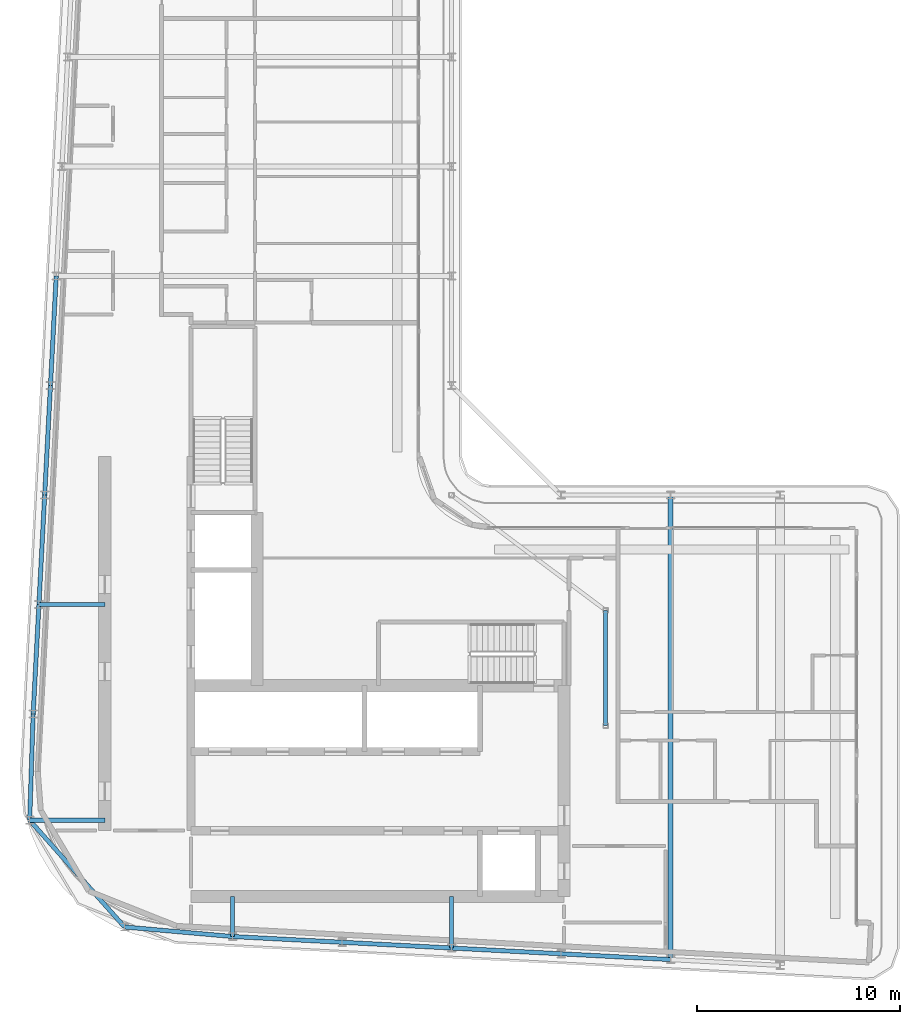
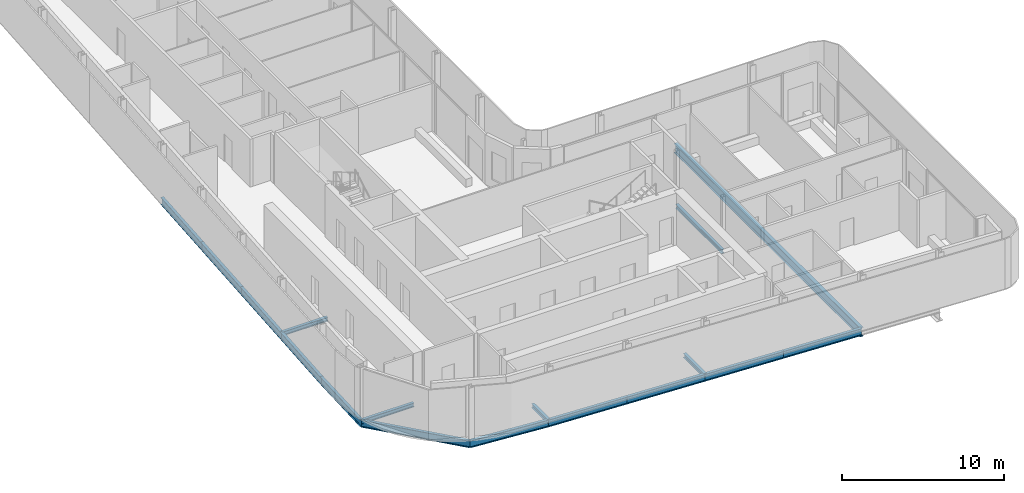
# One storey, part 5 of 21: 17 beams.
"""IFC4 building model written with IfcOpenShell, lengths in metres."""

from ifc_helpers import new_model, si_unit, direction, frame, origin, origin_2d, place, context, subcontext, project, spatial, i_section, extrude, material, material_profile, profile_set, type_object, element, save


model = new_model("IFC4")

# Units and contexts
model_context = context("Model", 3, precision=1e-05, world=origin(), true_north=direction((0.0, 1.0)))
body_context = subcontext(model_context, "Body", "Model", "MODEL_VIEW")
ifc_project = project(units=[si_unit("LENGTHUNIT", "METRE"), si_unit("AREAUNIT", "SQUARE_METRE"), si_unit("VOLUMEUNIT", "CUBIC_METRE"), si_unit("PLANEANGLEUNIT", "RADIAN"), si_unit("MASSUNIT", "GRAM", prefix="KILO")], contexts=[model_context])

# Site, building, storey
site_placement = place(None, origin())
site = spatial("IfcSite", under=ifc_project, at=site_placement, CompositionType="ELEMENT")
building_placement = place(site_placement, origin())
building = spatial("IfcBuilding", under=site, at=building_placement, Name="Kheshtan School and Residences Tower", CompositionType="ELEMENT")
storey_placement = place(building_placement, frame((0.0, 0.0, 309.800048828125)))
storey = spatial("IfcBuildingStorey", under=building, at=storey_placement, Name="L73", CompositionType="ELEMENT", Elevation=309.800048828125)

# Beams
ifc_material = material(Name="Steel ASTM A992 Grade 50", Category="steel")
ifc_material_profile_1 = material_profile(ifc_material, i_section(OverallWidth=0.202880859375, OverallDepth=0.302978515625, WebThickness=0.007568359375, FlangeThickness=0.01318359375, FilletRadius=0.009033203125, at=origin_2d()), Name="W310x60")
ifc_profile_set_1 = profile_set([ifc_material_profile_1], Name="Steel ASTM A992 Grade 50")
beam_type_1 = type_object("IfcBeamType", Name="Beam FB1 W310x60 ASTM A992 Grade 50", PredefinedType="BEAM", material=ifc_profile_set_1)
beam_1_placement = place(storey_placement, frame((47.60009765625, 23.263916015625, -0.301513671875), z_axis=(0.0, 1.0, 0.0), x_axis=(-1.0, 0.0, 0.0)))
element("IfcBeam", 1, at=beam_1_placement, inside=storey, type_object=beam_type_1, Name="Floor beam C020", PredefinedType="BEAM", context=body_context, shape_type="SweptSolid", body=[
    extrude(i_section(OverallWidth=0.202880859375, OverallDepth=0.302978515625, WebThickness=0.007568359375, FlangeThickness=0.01318359375, FilletRadius=0.009033203125, at=origin_2d()), origin(), (0.0, 0.0, 1.0), 2.5361328125),
])
beam_2_placement = place(storey_placement, frame((36.800048828125, 23.83203125, -0.301513671875), z_axis=(0.0, 1.0, 0.0), x_axis=(-1.0, 0.0, 0.0)))
element("IfcBeam", 2, at=beam_2_placement, inside=storey, type_object=beam_type_1, Name="Floor beam C022", PredefinedType="BEAM", context=body_context, shape_type="SweptSolid", body=[
    extrude(i_section(OverallWidth=0.202880859375, OverallDepth=0.302978515625, WebThickness=0.007568359375, FlangeThickness=0.01318359375, FilletRadius=0.009033203125, at=origin_2d()), origin(), (0.0, 0.0, 1.0), 1.968017578125),
])
beam_3_placement = place(storey_placement, frame((26.797119140625, 29.56591796875, -0.301513671875), z_axis=(1.0, 0.0, 0.0), x_axis=(0.0, 1.0, 0.0)))
element("IfcBeam", 3, at=beam_3_placement, inside=storey, type_object=beam_type_1, Name="Floor beam C044", PredefinedType="BEAM", context=body_context, shape_type="SweptSolid", body=[
    extrude(i_section(OverallWidth=0.202880859375, OverallDepth=0.302978515625, WebThickness=0.007568359375, FlangeThickness=0.01318359375, FilletRadius=0.009033203125, at=origin_2d()), origin(), (0.0, 0.0, 1.0), 3.702880859375),
])
beam_4_placement = place(storey_placement, frame((27.2529296875, 40.199951171875, -0.301513671875), z_axis=(1.0, 0.0, 0.0), x_axis=(0.0, 1.0, 0.0)))
element("IfcBeam", 4, at=beam_4_placement, inside=storey, type_object=beam_type_1, Name="Floor beam C056", PredefinedType="BEAM", context=body_context, shape_type="SweptSolid", body=[
    extrude(i_section(OverallWidth=0.202880859375, OverallDepth=0.302978515625, WebThickness=0.007568359375, FlangeThickness=0.01318359375, FilletRadius=0.009033203125, at=origin_2d()), origin(), (0.0, 0.0, 1.0), 3.2470703125),
])
beam_5_placement = place(storey_placement, frame((55.199951171875, 34.23193359375, -0.301513671875), z_axis=(0.0, 1.0, 0.0), x_axis=(-1.0, 0.0, 0.0)))
element("IfcBeam", 5, at=beam_5_placement, inside=storey, type_object=beam_type_1, Name="Floor beam IC", PredefinedType="BEAM", context=body_context, shape_type="SweptSolid", body=[
    extrude(i_section(OverallWidth=0.202880859375, OverallDepth=0.302978515625, WebThickness=0.007568359375, FlangeThickness=0.01318359375, FilletRadius=0.009033203125, at=origin_2d()), origin(), (0.0, 0.0, 1.0), 5.68408203125),
])
ifc_material_profile_2 = material_profile(ifc_material, i_section(OverallWidth=0.2529296875, OverallDepth=0.677978515625, WebThickness=0.01171875, FlangeThickness=0.016357421875, FilletRadius=0.0146484375, at=origin_2d()), Name="W690x125")
ifc_profile_set_2 = profile_set([ifc_material_profile_2], Name="Steel ASTM A992 Grade 50")
beam_type_2 = type_object("IfcBeamType", Name="Beam FB6 W690x125 ASTM A992 Grade 50", PredefinedType="BEAM", material=ifc_profile_set_2)
beam_6_placement = place(storey_placement, frame((58.39990234375, 22.695068359375, -0.489013671875), z_axis=(0.0, 1.0, 0.0), x_axis=(-1.0, 0.0, 0.0)))
element("IfcBeam", 6, at=beam_6_placement, inside=storey, type_object=beam_type_2, Name="Floor beam C018", PredefinedType="BEAM", context=body_context, shape_type="SweptSolid", body=[
    extrude(i_section(OverallWidth=0.2529296875, OverallDepth=0.677978515625, WebThickness=0.01171875, FlangeThickness=0.016357421875, FilletRadius=0.0146484375, at=origin_2d()), origin(), (0.0, 0.0, 1.0), 22.905029296875),
])
ifc_material_profile_3 = material_profile(ifc_material, i_section(OverallWidth=0.208984375, OverallDepth=0.532958984375, WebThickness=0.01025390625, FlangeThickness=0.015625, FilletRadius=0.013916015625, at=origin_2d()), Name="W530x92")
ifc_profile_set_3 = profile_set([ifc_material_profile_3], Name="Steel ASTM A992 Grade 50")
beam_type_3 = type_object("IfcBeamType", Name="Beam SP3 W530x92 ASTM A992 Grade 50", PredefinedType="BEAM", material=ifc_profile_set_3)
for number, where, z_axis, x_axis, name in (
    (7, (58.39990234375, 22.695068359375, -0.41650390625), (-0.998610961136, 0.052689166816, 0.0), (-0.052689166816, -0.998610961136, 0.0), "Spandrel beam C018-C019"),
    (8, (53.0, 22.97998046875, -0.41650390625), (-0.998620447272, 0.05250906864, 0.0), (-0.05250906864, -0.998620447272, 0.0), "Spandrel beam C019-C020"),
):
    element("IfcBeam", number, at=place(storey_placement, frame(where, z_axis=z_axis, x_axis=x_axis)), inside=storey, type_object=beam_type_3, Name=name, PredefinedType="BEAM", context=body_context, shape_type="SweptSolid", body=[
        extrude(i_section(OverallWidth=0.208984375, OverallDepth=0.532958984375, WebThickness=0.01025390625, FlangeThickness=0.015625, FilletRadius=0.013916015625, at=origin_2d()), origin(), (0.0, 0.0, 1.0), 5.407470703125),
    ])
beam_7_placement = place(storey_placement, frame((47.60009765625, 23.263916015625, -0.41650390625), z_axis=(-0.998618203458, 0.052551724256, 0.0), x_axis=(-0.052551724256, -0.998618203458, 0.0)))
element("IfcBeam", 9, at=beam_7_placement, inside=storey, type_object=beam_type_3, Name="Spandrel beam C020-C021", PredefinedType="BEAM", context=body_context, shape_type="SweptSolid", body=[
    extrude(i_section(OverallWidth=0.208984375, OverallDepth=0.532958984375, WebThickness=0.01025390625, FlangeThickness=0.015625, FilletRadius=0.013916015625, at=origin_2d()), origin(), (0.0, 0.0, 1.0), 5.40771484375),
])
beam_8_placement = place(storey_placement, frame((42.199951171875, 23.548095703125, -0.41650390625), z_axis=(-0.998620447272, 0.05250906864, 0.0), x_axis=(-0.05250906864, -0.998620447272, 0.0)))
element("IfcBeam", 10, at=beam_8_placement, inside=storey, type_object=beam_type_3, Name="Spandrel beam C021-C022", PredefinedType="BEAM", context=body_context, shape_type="SweptSolid", body=[
    extrude(i_section(OverallWidth=0.208984375, OverallDepth=0.532958984375, WebThickness=0.01025390625, FlangeThickness=0.015625, FilletRadius=0.013916015625, at=origin_2d()), origin(), (0.0, 0.0, 1.0), 5.407470703125),
])
beam_9_placement = place(storey_placement, frame((36.800048828125, 23.83203125, -0.41650390625), z_axis=(-0.996129262073, 0.087900473504, 0.0), x_axis=(-0.087900473504, -0.996129262073, 0.0)))
element("IfcBeam", 11, at=beam_9_placement, inside=storey, type_object=beam_type_3, Name="Spandrel beam C022-C031", PredefinedType="BEAM", context=body_context, shape_type="SweptSolid", body=[
    extrude(i_section(OverallWidth=0.208984375, OverallDepth=0.532958984375, WebThickness=0.01025390625, FlangeThickness=0.015625, FilletRadius=0.013916015625, at=origin_2d()), origin(), (0.0, 0.0, 1.0), 5.3466796875),
])
beam_10_placement = place(storey_placement, frame((31.47412109375, 24.302001953125, -0.41650390625), z_axis=(-0.664202421408, 0.747552769639, 0.0), x_axis=(-0.747552769639, -0.664202421408, 0.0)))
element("IfcBeam", 12, at=beam_10_placement, inside=storey, type_object=beam_type_3, Name="Spandrel beam C031-C044", PredefinedType="BEAM", context=body_context, shape_type="SweptSolid", body=[
    extrude(i_section(OverallWidth=0.208984375, OverallDepth=0.532958984375, WebThickness=0.01025390625, FlangeThickness=0.015625, FilletRadius=0.013916015625, at=origin_2d()), origin(), (0.0, 0.0, 1.0), 7.04150390625),
])
beam_11_placement = place(storey_placement, frame((26.797119140625, 29.56591796875, -0.41650390625), z_axis=(0.032819662671, 0.999461289767, 0.0), x_axis=(-0.999461289767, 0.032819662671, 0.0)))
element("IfcBeam", 13, at=beam_11_placement, inside=storey, type_object=beam_type_3, Name="Spandrel beam C044-C052", PredefinedType="BEAM", context=body_context, shape_type="SweptSolid", body=[
    extrude(i_section(OverallWidth=0.208984375, OverallDepth=0.532958984375, WebThickness=0.01025390625, FlangeThickness=0.015625, FilletRadius=0.013916015625, at=origin_2d()), origin(), (0.0, 0.0, 1.0), 5.237060546875),
])
beam_12_placement = place(storey_placement, frame((26.968994140625, 34.800048828125, -0.41650390625), z_axis=(0.05250906864, 0.998620447272, 0.0), x_axis=(-0.998620447272, 0.05250906864, 0.0)))
element("IfcBeam", 14, at=beam_12_placement, inside=storey, type_object=beam_type_3, Name="Spandrel beam C052-C056", PredefinedType="BEAM", context=body_context, shape_type="SweptSolid", body=[
    extrude(i_section(OverallWidth=0.208984375, OverallDepth=0.532958984375, WebThickness=0.01025390625, FlangeThickness=0.015625, FilletRadius=0.013916015625, at=origin_2d()), origin(), (0.0, 0.0, 1.0), 5.407470703125),
])
beam_13_placement = place(storey_placement, frame((27.2529296875, 40.199951171875, -0.41650390625), z_axis=(0.052551724256, 0.998618203458, 0.0), x_axis=(-0.998618203458, 0.052551724256, 0.0)))
element("IfcBeam", 15, at=beam_13_placement, inside=storey, type_object=beam_type_3, Name="Spandrel beam C056-C059", PredefinedType="BEAM", context=body_context, shape_type="SweptSolid", body=[
    extrude(i_section(OverallWidth=0.208984375, OverallDepth=0.532958984375, WebThickness=0.01025390625, FlangeThickness=0.015625, FilletRadius=0.013916015625, at=origin_2d()), origin(), (0.0, 0.0, 1.0), 5.40771484375),
])
for number, where, z_axis, x_axis, name in (
    (16, (27.537109375, 45.60009765625, -0.41650390625), (0.052689166816, 0.998610961136, 0.0), (-0.998610961136, 0.052689166816, 0.0), "Spandrel beam C059-C078"),
    (17, (27.822021484375, 51.0, -0.41650390625), (0.05250906864, 0.998620447272, 0.0), (-0.998620447272, 0.05250906864, 0.0), "Spandrel beam C078-C080"),
):
    element("IfcBeam", number, at=place(storey_placement, frame(where, z_axis=z_axis, x_axis=x_axis)), inside=storey, type_object=beam_type_3, Name=name, PredefinedType="BEAM", context=body_context, shape_type="SweptSolid", body=[
        extrude(i_section(OverallWidth=0.208984375, OverallDepth=0.532958984375, WebThickness=0.01025390625, FlangeThickness=0.015625, FilletRadius=0.013916015625, at=origin_2d()), origin(), (0.0, 0.0, 1.0), 5.407470703125),
    ])

save(model, "model.ifc")
